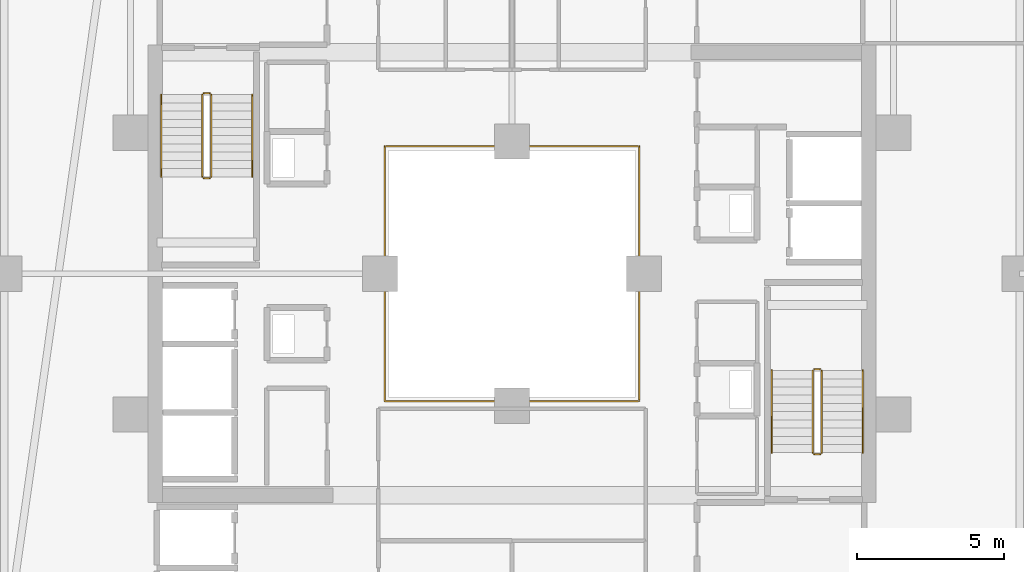
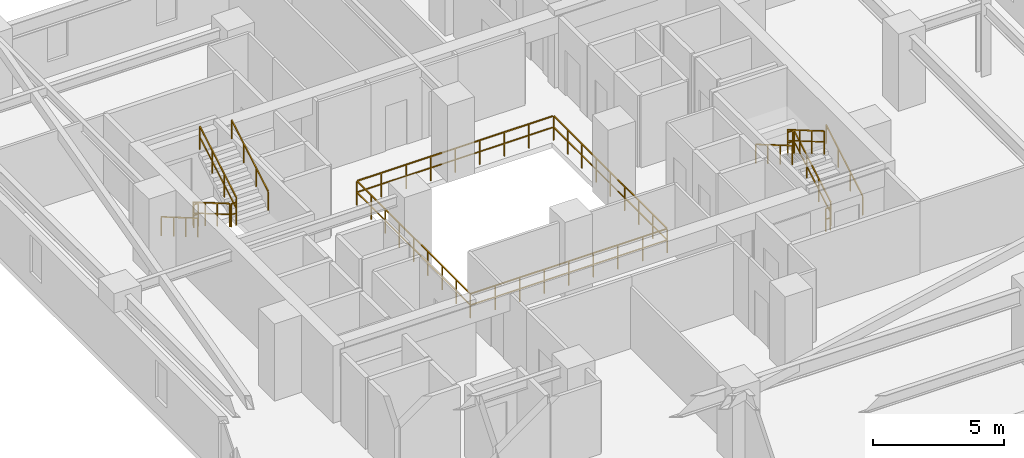
# One storey, part 32 of 33: 13 railings.
"""IFC4 building model written with IfcOpenShell, lengths in metres."""

from ifc_helpers import new_model, si_unit, direction, frame, origin, origin_2d, place, context, subcontext, project, spatial, rectangle, extrude, material, type_object, element, save


model = new_model("IFC4")

# Units and contexts
model_context = context("Model", 3, precision=1e-05, world=origin(), true_north=direction((0.0, 1.0)))
body_context = subcontext(model_context, "Body", "Model", "MODEL_VIEW")
ifc_project = project(units=[si_unit("LENGTHUNIT", "METRE"), si_unit("AREAUNIT", "SQUARE_METRE"), si_unit("VOLUMEUNIT", "CUBIC_METRE"), si_unit("PLANEANGLEUNIT", "RADIAN"), si_unit("MASSUNIT", "GRAM", prefix="KILO")], contexts=[model_context])

# Site, building, storey
site_placement = place(None, origin())
site = spatial("IfcSite", under=ifc_project, at=site_placement, CompositionType="ELEMENT")
building_placement = place(site_placement, origin())
building = spatial("IfcBuilding", under=site, at=building_placement, Name="Thornwick Lancets Civic Towers", CompositionType="ELEMENT")
storey_placement = place(building_placement, frame((0.0, 0.0, 130.5)))
storey = spatial("IfcBuildingStorey", under=building, at=storey_placement, Name="L34", CompositionType="ELEMENT", Elevation=130.5)

# Railings
ifc_material_1 = material(Name="Laminated glass and bronze steel S355", Category="steel")
railing_type_1 = type_object("IfcRailingType", Name="RAIL_ATRIUM_GUARD", PredefinedType="BALUSTRADE", material=ifc_material_1)
railing_1_placement = place(storey_placement, frame((84.159912109375, 22.659912109375, 0.0)))
element("IfcRailing", 1, at=railing_1_placement, inside=storey, type_object=railing_type_1, Name="L34 Tower B Central Atrium Guard Balustrade", PredefinedType="BALUSTRADE", context=body_context, shape_type="SweptSolid", body=[
    extrude(rectangle(XDim=0.048095703125, YDim=0.048095703125, at=origin_2d()), frame((0.0, 0.0, 1.1259765625), z_axis=(1.0, 0.0, 0.0), x_axis=(0.0, 1.0, 0.0)), (0.0, 0.0, 1.0), 8.64892578125),
    extrude(rectangle(XDim=0.0419921875, YDim=0.0419921875, at=origin_2d()), frame((0.03759765625, 0.0, 0.597900390625), z_axis=(1.0, 0.0, 0.0), x_axis=(0.0, 1.0, 0.0)), (0.0, 0.0, 1.0), 1.010009765625),
    extrude(rectangle(XDim=0.0419921875, YDim=0.0419921875, at=origin_2d()), frame((1.12255859375, 0.0, 0.597900390625), z_axis=(1.0, 0.0, 0.0), x_axis=(0.0, 1.0, 0.0)), (0.0, 0.0, 1.0), 1.010009765625),
    extrude(rectangle(XDim=0.0419921875, YDim=0.0419921875, at=origin_2d()), frame((2.20751953125, 0.0, 0.597900390625), z_axis=(1.0, 0.0, 0.0), x_axis=(0.0, 1.0, 0.0)), (0.0, 0.0, 1.0), 1.010009765625),
    extrude(rectangle(XDim=0.0419921875, YDim=0.0419921875, at=origin_2d()), frame((3.29248046875, 0.0, 0.597900390625), z_axis=(1.0, 0.0, 0.0), x_axis=(0.0, 1.0, 0.0)), (0.0, 0.0, 1.0), 1.010009765625),
    extrude(rectangle(XDim=0.0419921875, YDim=0.0419921875, at=origin_2d()), frame((4.377685546875, 0.0, 0.597900390625), z_axis=(1.0, 0.0, 0.0), x_axis=(0.0, 1.0, 0.0)), (0.0, 0.0, 1.0), 1.010009765625),
    extrude(rectangle(XDim=0.0419921875, YDim=0.0419921875, at=origin_2d()), frame((5.462646484375, 0.0, 0.597900390625), z_axis=(1.0, 0.0, 0.0), x_axis=(0.0, 1.0, 0.0)), (0.0, 0.0, 1.0), 1.010009765625),
    extrude(rectangle(XDim=0.0419921875, YDim=0.0419921875, at=origin_2d()), frame((6.547607421875, 0.0, 0.597900390625), z_axis=(1.0, 0.0, 0.0), x_axis=(0.0, 1.0, 0.0)), (0.0, 0.0, 1.0), 1.010009765625),
    extrude(rectangle(XDim=0.0419921875, YDim=0.0419921875, at=origin_2d()), frame((7.632568359375, 0.0, 0.597900390625), z_axis=(1.0, 0.0, 0.0), x_axis=(0.0, 1.0, 0.0)), (0.0, 0.0, 1.0), 1.010009765625),
    extrude(rectangle(XDim=0.048095703125, YDim=0.048095703125, at=origin_2d()), frame((8.68017578125, 0.03125, 1.1259765625), z_axis=(0.0, 1.0, 0.0), x_axis=(-1.0, 0.0, 0.0)), (0.0, 0.0, 1.0), 8.61767578125),
    extrude(rectangle(XDim=0.0419921875, YDim=0.0419921875, at=origin_2d()), frame((8.68017578125, 0.03759765625, 0.597900390625), z_axis=(0.0, 1.0, 0.0), x_axis=(-1.0, 0.0, 0.0)), (0.0, 0.0, 1.0), 1.010009765625),
    extrude(rectangle(XDim=0.0419921875, YDim=0.0419921875, at=origin_2d()), frame((8.68017578125, 1.12255859375, 0.597900390625), z_axis=(0.0, 1.0, 0.0), x_axis=(-1.0, 0.0, 0.0)), (0.0, 0.0, 1.0), 1.010009765625),
    extrude(rectangle(XDim=0.0419921875, YDim=0.0419921875, at=origin_2d()), frame((8.68017578125, 2.20751953125, 0.597900390625), z_axis=(0.0, 1.0, 0.0), x_axis=(-1.0, 0.0, 0.0)), (0.0, 0.0, 1.0), 1.010009765625),
    extrude(rectangle(XDim=0.0419921875, YDim=0.0419921875, at=origin_2d()), frame((8.68017578125, 3.29248046875, 0.597900390625), z_axis=(0.0, 1.0, 0.0), x_axis=(-1.0, 0.0, 0.0)), (0.0, 0.0, 1.0), 1.010009765625),
    extrude(rectangle(XDim=0.0419921875, YDim=0.0419921875, at=origin_2d()), frame((8.68017578125, 4.377685546875, 0.597900390625), z_axis=(0.0, 1.0, 0.0), x_axis=(-1.0, 0.0, 0.0)), (0.0, 0.0, 1.0), 1.010009765625),
    extrude(rectangle(XDim=0.0419921875, YDim=0.0419921875, at=origin_2d()), frame((8.68017578125, 5.462646484375, 0.597900390625), z_axis=(0.0, 1.0, 0.0), x_axis=(-1.0, 0.0, 0.0)), (0.0, 0.0, 1.0), 1.010009765625),
    extrude(rectangle(XDim=0.0419921875, YDim=0.0419921875, at=origin_2d()), frame((8.68017578125, 6.547607421875, 0.597900390625), z_axis=(0.0, 1.0, 0.0), x_axis=(-1.0, 0.0, 0.0)), (0.0, 0.0, 1.0), 1.010009765625),
    extrude(rectangle(XDim=0.0419921875, YDim=0.0419921875, at=origin_2d()), frame((8.68017578125, 7.632568359375, 0.597900390625), z_axis=(0.0, 1.0, 0.0), x_axis=(-1.0, 0.0, 0.0)), (0.0, 0.0, 1.0), 1.010009765625),
    extrude(rectangle(XDim=0.048095703125, YDim=0.048095703125, at=origin_2d()), frame((8.64892578125, 8.68017578125, 1.1259765625), z_axis=(-1.0, 0.0, 0.0), x_axis=(0.0, -1.0, 0.0)), (0.0, 0.0, 1.0), 8.61767578125),
    extrude(rectangle(XDim=0.0419921875, YDim=0.0419921875, at=origin_2d()), frame((8.642578125, 8.68017578125, 0.597900390625), z_axis=(-1.0, 0.0, 0.0), x_axis=(0.0, -1.0, 0.0)), (0.0, 0.0, 1.0), 1.010009765625),
    extrude(rectangle(XDim=0.0419921875, YDim=0.0419921875, at=origin_2d()), frame((7.5576171875, 8.68017578125, 0.597900390625), z_axis=(-1.0, 0.0, 0.0), x_axis=(0.0, -1.0, 0.0)), (0.0, 0.0, 1.0), 1.010009765625),
    extrude(rectangle(XDim=0.0419921875, YDim=0.0419921875, at=origin_2d()), frame((6.47265625, 8.68017578125, 0.597900390625), z_axis=(-1.0, 0.0, 0.0), x_axis=(0.0, -1.0, 0.0)), (0.0, 0.0, 1.0), 1.010009765625),
    extrude(rectangle(XDim=0.0419921875, YDim=0.0419921875, at=origin_2d()), frame((5.3876953125, 8.68017578125, 0.597900390625), z_axis=(-1.0, 0.0, 0.0), x_axis=(0.0, -1.0, 0.0)), (0.0, 0.0, 1.0), 1.010009765625),
    extrude(rectangle(XDim=0.0419921875, YDim=0.0419921875, at=origin_2d()), frame((4.302490234375, 8.68017578125, 0.597900390625), z_axis=(-1.0, 0.0, 0.0), x_axis=(0.0, -1.0, 0.0)), (0.0, 0.0, 1.0), 1.010009765625),
    extrude(rectangle(XDim=0.0419921875, YDim=0.0419921875, at=origin_2d()), frame((3.217529296875, 8.68017578125, 0.597900390625), z_axis=(-1.0, 0.0, 0.0), x_axis=(0.0, -1.0, 0.0)), (0.0, 0.0, 1.0), 1.010009765625),
    extrude(rectangle(XDim=0.0419921875, YDim=0.0419921875, at=origin_2d()), frame((2.132568359375, 8.68017578125, 0.597900390625), z_axis=(-1.0, 0.0, 0.0), x_axis=(0.0, -1.0, 0.0)), (0.0, 0.0, 1.0), 1.010009765625),
    extrude(rectangle(XDim=0.0419921875, YDim=0.0419921875, at=origin_2d()), frame((1.047607421875, 8.68017578125, 0.597900390625), z_axis=(-1.0, 0.0, 0.0), x_axis=(0.0, -1.0, 0.0)), (0.0, 0.0, 1.0), 1.010009765625),
    extrude(rectangle(XDim=0.048095703125, YDim=0.048095703125, at=origin_2d()), frame((0.0, 8.64892578125, 1.1259765625), z_axis=(0.0, -1.0, 0.0), x_axis=(1.0, 0.0, 0.0)), (0.0, 0.0, 1.0), 8.64892578125),
    extrude(rectangle(XDim=0.0419921875, YDim=0.0419921875, at=origin_2d()), frame((0.0, 8.642578125, 0.597900390625), z_axis=(0.0, -1.0, 0.0), x_axis=(1.0, 0.0, 0.0)), (0.0, 0.0, 1.0), 1.010009765625),
    extrude(rectangle(XDim=0.0419921875, YDim=0.0419921875, at=origin_2d()), frame((0.0, 7.5576171875, 0.597900390625), z_axis=(0.0, -1.0, 0.0), x_axis=(1.0, 0.0, 0.0)), (0.0, 0.0, 1.0), 1.010009765625),
    extrude(rectangle(XDim=0.0419921875, YDim=0.0419921875, at=origin_2d()), frame((0.0, 6.47265625, 0.597900390625), z_axis=(0.0, -1.0, 0.0), x_axis=(1.0, 0.0, 0.0)), (0.0, 0.0, 1.0), 1.010009765625),
    extrude(rectangle(XDim=0.0419921875, YDim=0.0419921875, at=origin_2d()), frame((0.0, 5.3876953125, 0.597900390625), z_axis=(0.0, -1.0, 0.0), x_axis=(1.0, 0.0, 0.0)), (0.0, 0.0, 1.0), 1.010009765625),
    extrude(rectangle(XDim=0.0419921875, YDim=0.0419921875, at=origin_2d()), frame((0.0, 4.302490234375, 0.597900390625), z_axis=(0.0, -1.0, 0.0), x_axis=(1.0, 0.0, 0.0)), (0.0, 0.0, 1.0), 1.010009765625),
    extrude(rectangle(XDim=0.0419921875, YDim=0.0419921875, at=origin_2d()), frame((0.0, 3.217529296875, 0.597900390625), z_axis=(0.0, -1.0, 0.0), x_axis=(1.0, 0.0, 0.0)), (0.0, 0.0, 1.0), 1.010009765625),
    extrude(rectangle(XDim=0.0419921875, YDim=0.0419921875, at=origin_2d()), frame((0.0, 2.132568359375, 0.597900390625), z_axis=(0.0, -1.0, 0.0), x_axis=(1.0, 0.0, 0.0)), (0.0, 0.0, 1.0), 1.010009765625),
    extrude(rectangle(XDim=0.0419921875, YDim=0.0419921875, at=origin_2d()), frame((0.0, 1.047607421875, 0.597900390625), z_axis=(0.0, -1.0, 0.0), x_axis=(1.0, 0.0, 0.0)), (0.0, 0.0, 1.0), 1.010009765625),
    extrude(rectangle(XDim=0.0419921875, YDim=0.0419921875, at=origin_2d()), origin(), (0.0, 0.0, 1.0), 1.095703125),
    extrude(rectangle(XDim=0.0419921875, YDim=0.0419921875, at=origin_2d()), frame((1.0849609375, 0.0, 0.0)), (0.0, 0.0, 1.0), 1.095703125),
    extrude(rectangle(XDim=0.0419921875, YDim=0.0419921875, at=origin_2d()), frame((2.169921875, 0.0, 0.0)), (0.0, 0.0, 1.0), 1.095703125),
    extrude(rectangle(XDim=0.0419921875, YDim=0.0419921875, at=origin_2d()), frame((3.255126953125, 0.0, 0.0)), (0.0, 0.0, 1.0), 1.095703125),
    extrude(rectangle(XDim=0.0419921875, YDim=0.0419921875, at=origin_2d()), frame((4.340087890625, 0.0, 0.0)), (0.0, 0.0, 1.0), 1.095703125),
    extrude(rectangle(XDim=0.0419921875, YDim=0.0419921875, at=origin_2d()), frame((5.425048828125, 0.0, 0.0)), (0.0, 0.0, 1.0), 1.095703125),
    extrude(rectangle(XDim=0.0419921875, YDim=0.0419921875, at=origin_2d()), frame((6.51025390625, 0.0, 0.0)), (0.0, 0.0, 1.0), 1.095703125),
    extrude(rectangle(XDim=0.0419921875, YDim=0.0419921875, at=origin_2d()), frame((7.59521484375, 0.0, 0.0)), (0.0, 0.0, 1.0), 1.095703125),
    extrude(rectangle(XDim=0.0419921875, YDim=0.0419921875, at=origin_2d()), frame((8.68017578125, 0.0, 0.0)), (0.0, 0.0, 1.0), 1.095703125),
    extrude(rectangle(XDim=0.0419921875, YDim=0.0419921875, at=origin_2d()), frame((8.68017578125, 1.0849609375, 0.0)), (0.0, 0.0, 1.0), 1.095703125),
    extrude(rectangle(XDim=0.0419921875, YDim=0.0419921875, at=origin_2d()), frame((8.68017578125, 2.169921875, 0.0)), (0.0, 0.0, 1.0), 1.095703125),
    extrude(rectangle(XDim=0.0419921875, YDim=0.0419921875, at=origin_2d()), frame((8.68017578125, 3.255126953125, 0.0)), (0.0, 0.0, 1.0), 1.095703125),
    extrude(rectangle(XDim=0.0419921875, YDim=0.0419921875, at=origin_2d()), frame((8.68017578125, 4.340087890625, 0.0)), (0.0, 0.0, 1.0), 1.095703125),
    extrude(rectangle(XDim=0.0419921875, YDim=0.0419921875, at=origin_2d()), frame((8.68017578125, 5.425048828125, 0.0)), (0.0, 0.0, 1.0), 1.095703125),
    extrude(rectangle(XDim=0.0419921875, YDim=0.0419921875, at=origin_2d()), frame((8.68017578125, 6.51025390625, 0.0)), (0.0, 0.0, 1.0), 1.095703125),
    extrude(rectangle(XDim=0.0419921875, YDim=0.0419921875, at=origin_2d()), frame((8.68017578125, 7.59521484375, 0.0)), (0.0, 0.0, 1.0), 1.095703125),
    extrude(rectangle(XDim=0.0419921875, YDim=0.0419921875, at=origin_2d()), frame((8.68017578125, 8.68017578125, 0.0)), (0.0, 0.0, 1.0), 1.095703125),
    extrude(rectangle(XDim=0.0419921875, YDim=0.0419921875, at=origin_2d()), frame((7.59521484375, 8.68017578125, 0.0)), (0.0, 0.0, 1.0), 1.095703125),
    extrude(rectangle(XDim=0.0419921875, YDim=0.0419921875, at=origin_2d()), frame((6.51025390625, 8.68017578125, 0.0)), (0.0, 0.0, 1.0), 1.095703125),
    extrude(rectangle(XDim=0.0419921875, YDim=0.0419921875, at=origin_2d()), frame((5.425048828125, 8.68017578125, 0.0)), (0.0, 0.0, 1.0), 1.095703125),
    extrude(rectangle(XDim=0.0419921875, YDim=0.0419921875, at=origin_2d()), frame((4.340087890625, 8.68017578125, 0.0)), (0.0, 0.0, 1.0), 1.095703125),
    extrude(rectangle(XDim=0.0419921875, YDim=0.0419921875, at=origin_2d()), frame((3.255126953125, 8.68017578125, 0.0)), (0.0, 0.0, 1.0), 1.095703125),
    extrude(rectangle(XDim=0.0419921875, YDim=0.0419921875, at=origin_2d()), frame((2.169921875, 8.68017578125, 0.0)), (0.0, 0.0, 1.0), 1.095703125),
    extrude(rectangle(XDim=0.0419921875, YDim=0.0419921875, at=origin_2d()), frame((1.0849609375, 8.68017578125, 0.0)), (0.0, 0.0, 1.0), 1.095703125),
    extrude(rectangle(XDim=0.0419921875, YDim=0.0419921875, at=origin_2d()), frame((0.0, 8.68017578125, 0.0)), (0.0, 0.0, 1.0), 1.095703125),
    extrude(rectangle(XDim=0.0419921875, YDim=0.0419921875, at=origin_2d()), frame((0.0, 7.59521484375, 0.0)), (0.0, 0.0, 1.0), 1.095703125),
    extrude(rectangle(XDim=0.0419921875, YDim=0.0419921875, at=origin_2d()), frame((0.0, 6.51025390625, 0.0)), (0.0, 0.0, 1.0), 1.095703125),
    extrude(rectangle(XDim=0.0419921875, YDim=0.0419921875, at=origin_2d()), frame((0.0, 5.425048828125, 0.0)), (0.0, 0.0, 1.0), 1.095703125),
    extrude(rectangle(XDim=0.0419921875, YDim=0.0419921875, at=origin_2d()), frame((0.0, 4.340087890625, 0.0)), (0.0, 0.0, 1.0), 1.095703125),
    extrude(rectangle(XDim=0.0419921875, YDim=0.0419921875, at=origin_2d()), frame((0.0, 3.255126953125, 0.0)), (0.0, 0.0, 1.0), 1.095703125),
    extrude(rectangle(XDim=0.0419921875, YDim=0.0419921875, at=origin_2d()), frame((0.0, 2.169921875, 0.0)), (0.0, 0.0, 1.0), 1.095703125),
    extrude(rectangle(XDim=0.0419921875, YDim=0.0419921875, at=origin_2d()), frame((0.0, 1.0849609375, 0.0)), (0.0, 0.0, 1.0), 1.095703125),
])
ifc_material_2 = material(Name="Brushed stainless steel S355", Category="steel")
railing_type_2 = type_object("IfcRailingType", Name="RAIL_HANDRAIL", PredefinedType="HANDRAIL", material=ifc_material_2)
railing_2_placement = place(storey_placement, frame((100.449951171875, 20.89990234375, 0.16357421875)))
element("IfcRailing", 2, at=railing_2_placement, inside=storey, type_object=railing_type_2, Name="L34 ST-B1 stair handrail 1", PredefinedType="HANDRAIL", context=body_context, shape_type="SweptSolid", body=[
    extrude(rectangle(XDim=0.048095703125, YDim=0.048095703125, at=origin_2d()), frame((0.0, 0.0, 0.8857421875), z_axis=(0.0, 0.863360870873, 0.504586966384), x_axis=(-1.0, 0.0, 0.0)), (0.0, 0.0, 1.0), 3.2431640625),
    extrude(rectangle(XDim=0.0419921875, YDim=0.0419921875, at=origin_2d()), origin(), (0.0, 0.0, 1.0), 0.855712890625),
    extrude(rectangle(XDim=0.0419921875, YDim=0.0419921875, at=origin_2d()), frame((0.0, 0.933349609375, 0.54541015625)), (0.0, 0.0, 1.0), 0.855712890625),
    extrude(rectangle(XDim=0.0419921875, YDim=0.0419921875, at=origin_2d()), frame((0.0, 1.86669921875, 1.091064453125)), (0.0, 0.0, 1.0), 0.855712890625),
    extrude(rectangle(XDim=0.0419921875, YDim=0.0419921875, at=origin_2d()), frame((0.0, 2.800048828125, 1.636474609375)), (0.0, 0.0, 1.0), 0.855712890625),
])
for number, where, name in (
    (3, (97.35009765625, 23.699951171875, 1.963623046875), "L34 ST-B1 stair handrail 2"),
    (4, (76.550048828125, 33.10009765625, 0.16357421875), "L34 ST-B2 stair handrail 1"),
):
    element("IfcRailing", number, at=place(storey_placement, frame(where)), inside=storey, type_object=railing_type_2, Name=name, PredefinedType="HANDRAIL", context=body_context, shape_type="SweptSolid", body=[
        extrude(rectangle(XDim=0.048095703125, YDim=0.048095703125, at=origin_2d()), frame((0.0, 0.0, 0.8857421875), z_axis=(0.0, -0.863360870873, 0.504586966384), x_axis=(1.0, 0.0, 0.0)), (0.0, 0.0, 1.0), 3.2431640625),
        extrude(rectangle(XDim=0.0419921875, YDim=0.0419921875, at=origin_2d()), origin(), (0.0, 0.0, 1.0), 0.855712890625),
        extrude(rectangle(XDim=0.0419921875, YDim=0.0419921875, at=origin_2d()), frame((0.0, -0.933349609375, 0.54541015625)), (0.0, 0.0, 1.0), 0.855712890625),
        extrude(rectangle(XDim=0.0419921875, YDim=0.0419921875, at=origin_2d()), frame((0.0, -1.86669921875, 1.091064453125)), (0.0, 0.0, 1.0), 0.855712890625),
        extrude(rectangle(XDim=0.0419921875, YDim=0.0419921875, at=origin_2d()), frame((0.0, -2.800048828125, 1.636474609375)), (0.0, 0.0, 1.0), 0.855712890625),
    ])
railing_3_placement = place(storey_placement, frame((79.64990234375, 30.300048828125, 1.963623046875)))
element("IfcRailing", 5, at=railing_3_placement, inside=storey, type_object=railing_type_2, Name="L34 ST-B2 stair handrail 2", PredefinedType="HANDRAIL", context=body_context, shape_type="SweptSolid", body=[
    extrude(rectangle(XDim=0.048095703125, YDim=0.048095703125, at=origin_2d()), frame((0.0, 0.0, 0.8857421875), z_axis=(0.0, 0.863360870873, 0.504586966384), x_axis=(-1.0, 0.0, 0.0)), (0.0, 0.0, 1.0), 3.2431640625),
    extrude(rectangle(XDim=0.0419921875, YDim=0.0419921875, at=origin_2d()), origin(), (0.0, 0.0, 1.0), 0.855712890625),
    extrude(rectangle(XDim=0.0419921875, YDim=0.0419921875, at=origin_2d()), frame((0.0, 0.933349609375, 0.54541015625)), (0.0, 0.0, 1.0), 0.855712890625),
    extrude(rectangle(XDim=0.0419921875, YDim=0.0419921875, at=origin_2d()), frame((0.0, 1.86669921875, 1.091064453125)), (0.0, 0.0, 1.0), 0.855712890625),
    extrude(rectangle(XDim=0.0419921875, YDim=0.0419921875, at=origin_2d()), frame((0.0, 2.800048828125, 1.636474609375)), (0.0, 0.0, 1.0), 0.855712890625),
])
ifc_material_3 = material(Name="Steel S355JR", Category="steel")
railing_type_3 = type_object("IfcRailingType", Name="RAIL_STAIR_GUARD", PredefinedType="GUARDRAIL", material=ifc_material_3)
railing_4_placement = place(storey_placement, frame((99.050048828125, 20.89990234375, 0.16357421875)))
element("IfcRailing", 6, at=railing_4_placement, inside=storey, type_object=railing_type_3, Name="L34 ST-B1 stair guard 1", PredefinedType="GUARDRAIL", context=body_context, shape_type="SweptSolid", body=[
    extrude(rectangle(XDim=0.048095703125, YDim=0.048095703125, at=origin_2d()), frame((0.0, 0.0, 1.076171875), z_axis=(0.0, 0.863360870873, 0.504586966384), x_axis=(-1.0, 0.0, 0.0)), (0.0, 0.0, 1.0), 3.2431640625),
    extrude(rectangle(XDim=0.0419921875, YDim=0.0419921875, at=origin_2d()), frame((0.0, 0.032470703125, 0.591064453125), z_axis=(0.0, 0.863360870873, 0.504586966384), x_axis=(-1.0, 0.0, 0.0)), (0.0, 0.0, 1.0), 1.006103515625),
    extrude(rectangle(XDim=0.0419921875, YDim=0.0419921875, at=origin_2d()), frame((0.0, 0.9658203125, 1.136474609375), z_axis=(0.0, 0.863360870873, 0.504586966384), x_axis=(-1.0, 0.0, 0.0)), (0.0, 0.0, 1.0), 1.006103515625),
    extrude(rectangle(XDim=0.0419921875, YDim=0.0419921875, at=origin_2d()), frame((0.0, 1.899169921875, 1.681884765625), z_axis=(0.0, 0.863360870873, 0.504586966384), x_axis=(-1.0, 0.0, 0.0)), (0.0, 0.0, 1.0), 1.006103515625),
    extrude(rectangle(XDim=0.0419921875, YDim=0.0419921875, at=origin_2d()), origin(), (0.0, 0.0, 1.0), 1.0458984375),
    extrude(rectangle(XDim=0.0419921875, YDim=0.0419921875, at=origin_2d()), frame((0.0, 0.933349609375, 0.54541015625)), (0.0, 0.0, 1.0), 1.0458984375),
    extrude(rectangle(XDim=0.0419921875, YDim=0.0419921875, at=origin_2d()), frame((0.0, 1.86669921875, 1.091064453125)), (0.0, 0.0, 1.0), 1.0458984375),
    extrude(rectangle(XDim=0.0419921875, YDim=0.0419921875, at=origin_2d()), frame((0.0, 2.800048828125, 1.636474609375)), (0.0, 0.0, 1.0), 1.0458984375),
])
railing_5_placement = place(storey_placement, frame((99.0, 23.75, 1.800048828125)))
element("IfcRailing", 7, at=railing_5_placement, inside=storey, type_object=railing_type_3, Name="L34 ST-B1 stair guard 2", PredefinedType="GUARDRAIL", context=body_context, shape_type="SweptSolid", body=[
    extrude(rectangle(XDim=0.048095703125, YDim=0.048095703125, at=origin_2d()), frame((0.0, 0.0, 1.076171875), z_axis=(-1.0, 0.0, 0.0), x_axis=(0.0, -1.0, 0.0)), (0.0, 0.0, 1.0), 0.199951171875),
    extrude(rectangle(XDim=0.0419921875, YDim=0.0419921875, at=origin_2d()), frame((-0.03759765625, 0.0, 0.572021484375), z_axis=(-1.0, 0.0, 0.0), x_axis=(0.0, -1.0, 0.0)), (0.0, 0.0, 1.0), 0.125),
    extrude(rectangle(XDim=0.0419921875, YDim=0.0419921875, at=origin_2d()), origin(), (0.0, 0.0, 1.0), 1.0458984375),
    extrude(rectangle(XDim=0.0419921875, YDim=0.0419921875, at=origin_2d()), frame((-0.199951171875, 0.0, 0.0)), (0.0, 0.0, 1.0), 1.0458984375),
])
railing_6_placement = place(storey_placement, frame((98.75, 23.699951171875, 1.963623046875)))
element("IfcRailing", 8, at=railing_6_placement, inside=storey, type_object=railing_type_3, Name="L34 ST-B1 stair guard 3", PredefinedType="GUARDRAIL", context=body_context, shape_type="SweptSolid", body=[
    extrude(rectangle(XDim=0.048095703125, YDim=0.048095703125, at=origin_2d()), frame((0.0, 0.0, 1.076171875), z_axis=(0.0, -0.863360870873, 0.504586966384), x_axis=(1.0, 0.0, 0.0)), (0.0, 0.0, 1.0), 3.2431640625),
    extrude(rectangle(XDim=0.0419921875, YDim=0.0419921875, at=origin_2d()), frame((0.0, -0.032470703125, 0.591064453125), z_axis=(0.0, -0.863360870873, 0.504586966384), x_axis=(1.0, 0.0, 0.0)), (0.0, 0.0, 1.0), 1.006103515625),
    extrude(rectangle(XDim=0.0419921875, YDim=0.0419921875, at=origin_2d()), frame((0.0, -0.9658203125, 1.136474609375), z_axis=(0.0, -0.863360870873, 0.504586966384), x_axis=(1.0, 0.0, 0.0)), (0.0, 0.0, 1.0), 1.006103515625),
    extrude(rectangle(XDim=0.0419921875, YDim=0.0419921875, at=origin_2d()), frame((0.0, -1.899169921875, 1.681884765625), z_axis=(0.0, -0.863360870873, 0.504586966384), x_axis=(1.0, 0.0, 0.0)), (0.0, 0.0, 1.0), 1.006103515625),
    extrude(rectangle(XDim=0.0419921875, YDim=0.0419921875, at=origin_2d()), origin(), (0.0, 0.0, 1.0), 1.0458984375),
    extrude(rectangle(XDim=0.0419921875, YDim=0.0419921875, at=origin_2d()), frame((0.0, -0.933349609375, 0.54541015625)), (0.0, 0.0, 1.0), 1.0458984375),
    extrude(rectangle(XDim=0.0419921875, YDim=0.0419921875, at=origin_2d()), frame((0.0, -1.86669921875, 1.091064453125)), (0.0, 0.0, 1.0), 1.0458984375),
    extrude(rectangle(XDim=0.0419921875, YDim=0.0419921875, at=origin_2d()), frame((0.0, -2.800048828125, 1.636474609375)), (0.0, 0.0, 1.0), 1.0458984375),
])
railing_7_placement = place(storey_placement, frame((99.0, 20.85009765625, 0.0)))
element("IfcRailing", 9, at=railing_7_placement, inside=storey, type_object=railing_type_3, Name="L34 ST-B1 stair guard 4", PredefinedType="GUARDRAIL", context=body_context, shape_type="SweptSolid", body=[
    extrude(rectangle(XDim=0.048095703125, YDim=0.048095703125, at=origin_2d()), frame((0.0, 0.0, 1.076171875), z_axis=(-1.0, 0.0, 0.0), x_axis=(0.0, -1.0, 0.0)), (0.0, 0.0, 1.0), 0.199951171875),
    extrude(rectangle(XDim=0.0419921875, YDim=0.0419921875, at=origin_2d()), frame((-0.03759765625, 0.0, 0.572021484375), z_axis=(-1.0, 0.0, 0.0), x_axis=(0.0, -1.0, 0.0)), (0.0, 0.0, 1.0), 0.125),
    extrude(rectangle(XDim=0.0419921875, YDim=0.0419921875, at=origin_2d()), origin(), (0.0, 0.0, 1.0), 1.0458984375),
    extrude(rectangle(XDim=0.0419921875, YDim=0.0419921875, at=origin_2d()), frame((-0.199951171875, 0.0, 0.0)), (0.0, 0.0, 1.0), 1.0458984375),
])
railing_8_placement = place(storey_placement, frame((77.949951171875, 33.10009765625, 0.16357421875)))
element("IfcRailing", 10, at=railing_8_placement, inside=storey, type_object=railing_type_3, Name="L34 ST-B2 stair guard 1", PredefinedType="GUARDRAIL", context=body_context, shape_type="SweptSolid", body=[
    extrude(rectangle(XDim=0.048095703125, YDim=0.048095703125, at=origin_2d()), frame((0.0, 0.0, 1.076171875), z_axis=(0.0, -0.863360870873, 0.504586966384), x_axis=(1.0, 0.0, 0.0)), (0.0, 0.0, 1.0), 3.2431640625),
    extrude(rectangle(XDim=0.0419921875, YDim=0.0419921875, at=origin_2d()), frame((0.0, -0.032470703125, 0.591064453125), z_axis=(0.0, -0.863360870873, 0.504586966384), x_axis=(1.0, 0.0, 0.0)), (0.0, 0.0, 1.0), 1.006103515625),
    extrude(rectangle(XDim=0.0419921875, YDim=0.0419921875, at=origin_2d()), frame((0.0, -0.9658203125, 1.136474609375), z_axis=(0.0, -0.863360870873, 0.504586966384), x_axis=(1.0, 0.0, 0.0)), (0.0, 0.0, 1.0), 1.006103515625),
    extrude(rectangle(XDim=0.0419921875, YDim=0.0419921875, at=origin_2d()), frame((0.0, -1.899169921875, 1.681884765625), z_axis=(0.0, -0.863360870873, 0.504586966384), x_axis=(1.0, 0.0, 0.0)), (0.0, 0.0, 1.0), 1.006103515625),
    extrude(rectangle(XDim=0.0419921875, YDim=0.0419921875, at=origin_2d()), origin(), (0.0, 0.0, 1.0), 1.0458984375),
    extrude(rectangle(XDim=0.0419921875, YDim=0.0419921875, at=origin_2d()), frame((0.0, -0.933349609375, 0.54541015625)), (0.0, 0.0, 1.0), 1.0458984375),
    extrude(rectangle(XDim=0.0419921875, YDim=0.0419921875, at=origin_2d()), frame((0.0, -1.86669921875, 1.091064453125)), (0.0, 0.0, 1.0), 1.0458984375),
    extrude(rectangle(XDim=0.0419921875, YDim=0.0419921875, at=origin_2d()), frame((0.0, -2.800048828125, 1.636474609375)), (0.0, 0.0, 1.0), 1.0458984375),
])
railing_9_placement = place(storey_placement, frame((78.0, 30.25, 1.800048828125)))
element("IfcRailing", 11, at=railing_9_placement, inside=storey, type_object=railing_type_3, Name="L34 ST-B2 stair guard 2", PredefinedType="GUARDRAIL", context=body_context, shape_type="SweptSolid", body=[
    extrude(rectangle(XDim=0.048095703125, YDim=0.048095703125, at=origin_2d()), frame((0.0, 0.0, 1.076171875), z_axis=(1.0, 0.0, 0.0), x_axis=(0.0, 1.0, 0.0)), (0.0, 0.0, 1.0), 0.199951171875),
    extrude(rectangle(XDim=0.0419921875, YDim=0.0419921875, at=origin_2d()), frame((0.03759765625, 0.0, 0.572021484375), z_axis=(1.0, 0.0, 0.0), x_axis=(0.0, 1.0, 0.0)), (0.0, 0.0, 1.0), 0.125),
    extrude(rectangle(XDim=0.0419921875, YDim=0.0419921875, at=origin_2d()), origin(), (0.0, 0.0, 1.0), 1.0458984375),
    extrude(rectangle(XDim=0.0419921875, YDim=0.0419921875, at=origin_2d()), frame((0.199951171875, 0.0, 0.0)), (0.0, 0.0, 1.0), 1.0458984375),
])
railing_10_placement = place(storey_placement, frame((78.25, 30.300048828125, 1.963623046875)))
element("IfcRailing", 12, at=railing_10_placement, inside=storey, type_object=railing_type_3, Name="L34 ST-B2 stair guard 3", PredefinedType="GUARDRAIL", context=body_context, shape_type="SweptSolid", body=[
    extrude(rectangle(XDim=0.048095703125, YDim=0.048095703125, at=origin_2d()), frame((0.0, 0.0, 1.076171875), z_axis=(0.0, 0.863360870873, 0.504586966384), x_axis=(-1.0, 0.0, 0.0)), (0.0, 0.0, 1.0), 3.2431640625),
    extrude(rectangle(XDim=0.0419921875, YDim=0.0419921875, at=origin_2d()), frame((0.0, 0.032470703125, 0.591064453125), z_axis=(0.0, 0.863360870873, 0.504586966384), x_axis=(-1.0, 0.0, 0.0)), (0.0, 0.0, 1.0), 1.006103515625),
    extrude(rectangle(XDim=0.0419921875, YDim=0.0419921875, at=origin_2d()), frame((0.0, 0.9658203125, 1.136474609375), z_axis=(0.0, 0.863360870873, 0.504586966384), x_axis=(-1.0, 0.0, 0.0)), (0.0, 0.0, 1.0), 1.006103515625),
    extrude(rectangle(XDim=0.0419921875, YDim=0.0419921875, at=origin_2d()), frame((0.0, 1.899169921875, 1.681884765625), z_axis=(0.0, 0.863360870873, 0.504586966384), x_axis=(-1.0, 0.0, 0.0)), (0.0, 0.0, 1.0), 1.006103515625),
    extrude(rectangle(XDim=0.0419921875, YDim=0.0419921875, at=origin_2d()), origin(), (0.0, 0.0, 1.0), 1.0458984375),
    extrude(rectangle(XDim=0.0419921875, YDim=0.0419921875, at=origin_2d()), frame((0.0, 0.933349609375, 0.54541015625)), (0.0, 0.0, 1.0), 1.0458984375),
    extrude(rectangle(XDim=0.0419921875, YDim=0.0419921875, at=origin_2d()), frame((0.0, 1.86669921875, 1.091064453125)), (0.0, 0.0, 1.0), 1.0458984375),
    extrude(rectangle(XDim=0.0419921875, YDim=0.0419921875, at=origin_2d()), frame((0.0, 2.800048828125, 1.636474609375)), (0.0, 0.0, 1.0), 1.0458984375),
])
railing_11_placement = place(storey_placement, frame((78.0, 33.14990234375, 0.0)))
element("IfcRailing", 13, at=railing_11_placement, inside=storey, type_object=railing_type_3, Name="L34 ST-B2 stair guard 4", PredefinedType="GUARDRAIL", context=body_context, shape_type="SweptSolid", body=[
    extrude(rectangle(XDim=0.048095703125, YDim=0.048095703125, at=origin_2d()), frame((0.0, 0.0, 1.076171875), z_axis=(1.0, 0.0, 0.0), x_axis=(0.0, 1.0, 0.0)), (0.0, 0.0, 1.0), 0.199951171875),
    extrude(rectangle(XDim=0.0419921875, YDim=0.0419921875, at=origin_2d()), frame((0.03759765625, 0.0, 0.572021484375), z_axis=(1.0, 0.0, 0.0), x_axis=(0.0, 1.0, 0.0)), (0.0, 0.0, 1.0), 0.125),
    extrude(rectangle(XDim=0.0419921875, YDim=0.0419921875, at=origin_2d()), origin(), (0.0, 0.0, 1.0), 1.0458984375),
    extrude(rectangle(XDim=0.0419921875, YDim=0.0419921875, at=origin_2d()), frame((0.199951171875, 0.0, 0.0)), (0.0, 0.0, 1.0), 1.0458984375),
])

save(model, "model.ifc")
